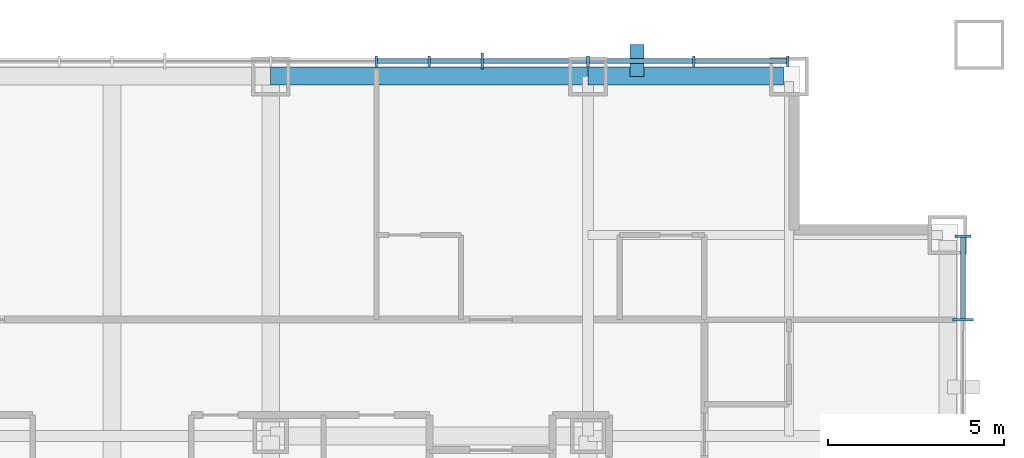
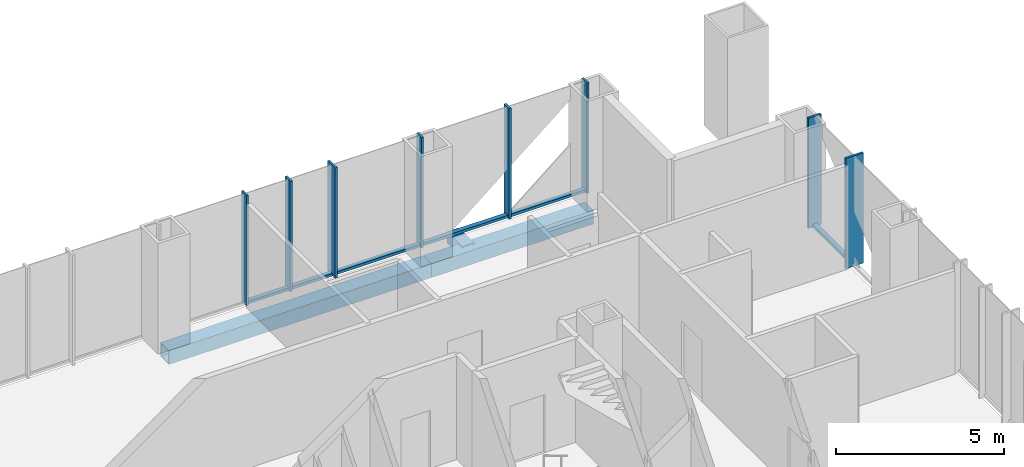
# One storey, part 6 of 18: 15 members, 2 beams, 2 elements without a shape of their own.
"""IFC4 building model written with IfcOpenShell, lengths in metres."""

from ifc_helpers import new_model, si_unit, direction, frame, origin, origin_2d, place, context, subcontext, project, spatial, rectangle, hollow_rectangle, extrude, material, layer, layer_set, material_profile, profile_set, type_object, element, aggregate, save


model = new_model("IFC4")

# Units and contexts
model_context = context("Model", 3, precision=1e-05, world=origin(), true_north=direction((0.0, 1.0)))
body_context = subcontext(model_context, "Body", "Model", "MODEL_VIEW")
ifc_project = project(units=[si_unit("LENGTHUNIT", "METRE"), si_unit("AREAUNIT", "SQUARE_METRE"), si_unit("VOLUMEUNIT", "CUBIC_METRE"), si_unit("PLANEANGLEUNIT", "RADIAN"), si_unit("MASSUNIT", "GRAM", prefix="KILO")], contexts=[model_context])

# Site, building, storey
site_placement = place(None, origin())
site = spatial("IfcSite", under=ifc_project, at=site_placement, CompositionType="ELEMENT")
building_placement = place(site_placement, origin())
building = spatial("IfcBuilding", under=site, at=building_placement, Name="Malebo Sky Hospital", CompositionType="ELEMENT")
storey_placement = place(building_placement, frame((0.0, 0.0, 132.0)))
storey = spatial("IfcBuildingStorey", under=building, at=storey_placement, Name="L31", CompositionType="ELEMENT", Elevation=132.0)

# Curtain wall, members
ifc_material_1 = material(Name="Anodised aluminium, natural silver", Category="aluminium")
ifc_layer_1 = layer(ifc_material_1, 0.25)
ifc_layer_set_1 = layer_set([ifc_layer_1], Name="WARD CURTAIN WALL NORTH AND SOUTH")
curtain_wall_type_1 = type_object("IfcCurtainWallType", Name="WARD CURTAIN WALL NORTH AND SOUTH", PredefinedType="NOTDEFINED", material=ifc_layer_set_1)
curtain_wall_1_placement = place(storey_placement, origin())
curtain_wall_1 = element("IfcCurtainWall", 1, at=curtain_wall_1_placement, inside=storey, type_object=curtain_wall_type_1, Name="NS curtain wall N", PredefinedType="NOTDEFINED")
ifc_material_profile_1 = material_profile(ifc_material_1, rectangle(XDim=0.14990234375, YDim=0.10009765625, at=origin_2d()), Name="ALUMINIUM TRANSOM 150x100")
ifc_profile_set_1 = profile_set([ifc_material_profile_1], Name="Anodised aluminium, natural silver")
member_type_1 = type_object("IfcMemberType", Name="ALUMINIUM TRANSOM 150x100", PredefinedType="USERDEFINED", material=ifc_profile_set_1)
member_1_placement = place(storey_placement, frame((67.53759765625, 86.135009765625, 0.050048828125), z_axis=(1.0, 0.0, 0.0), x_axis=(0.0, 1.0, 0.0)))
member_1 = element("IfcMember", 2, at=member_1_placement, type_object=member_type_1, Name="Transom 12", ObjectType="TRANSOM", PredefinedType="USERDEFINED", context=body_context, shape_type="SweptSolid", body=[
    extrude(rectangle(XDim=0.14990234375, YDim=0.10009765625, at=origin_2d()), origin(), (0.0, 0.0, 1.0), 1.4248046875),
])
member_2_placement = place(storey_placement, frame((69.03759765625, 86.135009765625, 0.050048828125), z_axis=(1.0, 0.0, 0.0), x_axis=(0.0, 1.0, 0.0)))
member_2 = element("IfcMember", 3, at=member_2_placement, type_object=member_type_1, Name="Transom 13", ObjectType="TRANSOM", PredefinedType="USERDEFINED", context=body_context, shape_type="SweptSolid", body=[
    extrude(rectangle(XDim=0.14990234375, YDim=0.10009765625, at=origin_2d()), origin(), (0.0, 0.0, 1.0), 1.4248046875),
])
member_3_placement = place(storey_placement, frame((70.53759765625, 86.135009765625, 0.050048828125), z_axis=(1.0, 0.0, 0.0), x_axis=(0.0, 1.0, 0.0)))
member_3 = element("IfcMember", 4, at=member_3_placement, type_object=member_type_1, Name="Transom 14", ObjectType="TRANSOM", PredefinedType="USERDEFINED", context=body_context, shape_type="SweptSolid", body=[
    extrude(rectangle(XDim=0.14990234375, YDim=0.10009765625, at=origin_2d()), origin(), (0.0, 0.0, 1.0), 2.9248046875),
])
member_4_placement = place(storey_placement, frame((73.53759765625, 86.135009765625, 0.050048828125), z_axis=(1.0, 0.0, 0.0), x_axis=(0.0, 1.0, 0.0)))
member_4 = element("IfcMember", 5, at=member_4_placement, type_object=member_type_1, Name="Transom 15", ObjectType="TRANSOM", PredefinedType="USERDEFINED", context=body_context, shape_type="SweptSolid", body=[
    extrude(rectangle(XDim=0.14990234375, YDim=0.10009765625, at=origin_2d()), origin(), (0.0, 0.0, 1.0), 2.9248046875),
])
member_5_placement = place(storey_placement, frame((76.53759765625, 86.135009765625, 0.050048828125), z_axis=(1.0, 0.0, 0.0), x_axis=(0.0, 1.0, 0.0)))
member_5 = element("IfcMember", 6, at=member_5_placement, type_object=member_type_1, Name="Transom 16", ObjectType="TRANSOM", PredefinedType="USERDEFINED", context=body_context, shape_type="SweptSolid", body=[
    extrude(rectangle(XDim=0.14990234375, YDim=0.10009765625, at=origin_2d()), origin(), (0.0, 0.0, 1.0), 2.58740234375),
])

# Curtain wall, member
ifc_layer_2 = layer(ifc_material_1, 0.25)
ifc_layer_set_2 = layer_set([ifc_layer_2], Name="WARD CURTAIN WALL EAST AND WEST")
curtain_wall_type_2 = type_object("IfcCurtainWallType", Name="WARD CURTAIN WALL EAST AND WEST", PredefinedType="NOTDEFINED", material=ifc_layer_set_2)
curtain_wall_2_placement = place(storey_placement, origin())
curtain_wall_2 = element("IfcCurtainWall", 7, at=curtain_wall_2_placement, inside=storey, type_object=curtain_wall_type_2, Name="EW curtain wall E", PredefinedType="NOTDEFINED")
member_6_placement = place(storey_placement, frame((84.135009765625, 81.125, 0.050048828125), z_axis=(0.0, -1.0, 0.0), x_axis=(1.0, 0.0, 0.0)))
member_6 = element("IfcMember", 8, at=member_6_placement, type_object=member_type_1, Name="Transom 1", ObjectType="TRANSOM", PredefinedType="USERDEFINED", context=body_context, shape_type="SweptSolid", body=[
    extrude(rectangle(XDim=0.14990234375, YDim=0.10009765625, at=origin_2d()), origin(), (0.0, 0.0, 1.0), 2.28759765625),
])

# Member
ifc_material_2 = material(Name="Steel S355", Category="steel")
ifc_material_profile_2 = material_profile(ifc_material_2, hollow_rectangle(XDim=0.39990234375, YDim=0.39990234375, WallThickness=0.02001953125, at=origin_2d()), Name="SHS 400x20")
ifc_profile_set_2 = profile_set([ifc_material_profile_2], Name="Steel S355")
member_type_2 = type_object("IfcMemberType", Name="BRACE STRUT SHS 400x20", PredefinedType="STRUT", material=ifc_profile_set_2)
member_7_placement = place(storey_placement, frame((74.8935546875, 86.60009765625, -0.39990234375), z_axis=(0.0, -1.0, 0.0), x_axis=(1.0, 0.0, 0.0)))
element("IfcMember", 9, at=member_7_placement, inside=storey, type_object=member_type_2, Name="Brace strut BN2 L31", PredefinedType="STRUT", context=body_context, shape_type="SweptSolid", body=[
    extrude(hollow_rectangle(XDim=0.39990234375, YDim=0.39990234375, WallThickness=0.02001953125, at=origin_2d()), origin(), (0.0, 0.0, 1.0), 0.900146484375),
])

ifc_material_profile_3 = material_profile(ifc_material_1, rectangle(XDim=0.074951171875, YDim=0.300048828125, at=origin_2d()), Name="CW1 ALUMINIUM FIN MULLION 75x300")
ifc_profile_set_3 = profile_set([ifc_material_profile_3], Name="Anodised aluminium, natural silver")
member_type_3 = type_object("IfcMemberType", Name="CW1 ALUMINIUM FIN MULLION 75x300", PredefinedType="MULLION", material=ifc_profile_set_3)
member_8_placement = place(storey_placement, frame((67.5, 86.135009765625, 0.0), z_axis=(0.0, 0.0, 1.0), x_axis=(1.0, 0.0, 0.0)))
member_8 = element("IfcMember", 10, at=member_8_placement, type_object=member_type_3, Name="Fin mullion 12", PredefinedType="MULLION", context=body_context, shape_type="SweptSolid", body=[
    extrude(rectangle(XDim=0.074951171875, YDim=0.300048828125, at=origin_2d()), origin(), (0.0, 0.0, 1.0), 4.0),
])

member_9_placement = place(storey_placement, frame((69.0, 86.135009765625, 0.0), z_axis=(0.0, 0.0, 1.0), x_axis=(1.0, 0.0, 0.0)))
member_9 = element("IfcMember", 11, at=member_9_placement, type_object=member_type_3, Name="Fin mullion 13", PredefinedType="MULLION", context=body_context, shape_type="SweptSolid", body=[
    extrude(rectangle(XDim=0.074951171875, YDim=0.300048828125, at=origin_2d()), origin(), (0.0, 0.0, 1.0), 4.0),
])

member_10_placement = place(storey_placement, frame((73.5, 86.135009765625, 0.0), z_axis=(0.0, 0.0, 1.0), x_axis=(1.0, 0.0, 0.0)))
member_10 = element("IfcMember", 12, at=member_10_placement, type_object=member_type_3, Name="Fin mullion 15", PredefinedType="MULLION", context=body_context, shape_type="SweptSolid", body=[
    extrude(rectangle(XDim=0.074951171875, YDim=0.300048828125, at=origin_2d()), origin(), (0.0, 0.0, 1.0), 4.0),
])

member_11_placement = place(storey_placement, frame((76.5, 86.135009765625, 0.0), z_axis=(0.0, 0.0, 1.0), x_axis=(1.0, 0.0, 0.0)))
member_11 = element("IfcMember", 13, at=member_11_placement, type_object=member_type_3, Name="Fin mullion 16", PredefinedType="MULLION", context=body_context, shape_type="SweptSolid", body=[
    extrude(rectangle(XDim=0.074951171875, YDim=0.300048828125, at=origin_2d()), origin(), (0.0, 0.0, 1.0), 4.0),
])

member_12_placement = place(storey_placement, frame((79.16259765625, 86.135009765625, 0.0), z_axis=(0.0, 0.0, 1.0), x_axis=(1.0, 0.0, 0.0)))
member_12 = element("IfcMember", 14, at=member_12_placement, type_object=member_type_3, Name="Fin mullion 17", PredefinedType="MULLION", context=body_context, shape_type="SweptSolid", body=[
    extrude(rectangle(XDim=0.074951171875, YDim=0.300048828125, at=origin_2d()), origin(), (0.0, 0.0, 1.0), 4.0),
])

ifc_material_profile_4 = material_profile(ifc_material_1, rectangle(XDim=0.074951171875, YDim=0.449951171875, at=origin_2d()), Name="CW1 ALUMINIUM FIN MULLION 75x450")
ifc_profile_set_4 = profile_set([ifc_material_profile_4], Name="Anodised aluminium, natural silver")
member_type_4 = type_object("IfcMemberType", Name="CW1 ALUMINIUM FIN MULLION 75x450", PredefinedType="MULLION", material=ifc_profile_set_4)
member_13_placement = place(storey_placement, frame((70.5, 86.135009765625, 0.0), z_axis=(0.0, 0.0, 1.0), x_axis=(1.0, 0.0, 0.0)))
member_13 = element("IfcMember", 15, at=member_13_placement, type_object=member_type_4, Name="Fin mullion 14", PredefinedType="MULLION", context=body_context, shape_type="SweptSolid", body=[
    extrude(rectangle(XDim=0.074951171875, YDim=0.449951171875, at=origin_2d()), origin(), (0.0, 0.0, 1.0), 4.0),
])

aggregate(curtain_wall_1, [member_8, member_9, member_13, member_10, member_11, member_12, member_1, member_2, member_3, member_4, member_5])

ifc_material_profile_5 = material_profile(ifc_material_1, rectangle(XDim=0.074951171875, YDim=0.449951171875, at=origin_2d()), Name="CW2 ALUMINIUM FIN MULLION 75x450")
ifc_profile_set_5 = profile_set([ifc_material_profile_5], Name="Anodised aluminium, natural silver")
member_type_5 = type_object("IfcMemberType", Name="CW2 ALUMINIUM FIN MULLION 75x450", PredefinedType="MULLION", material=ifc_profile_set_5)
member_14_placement = place(storey_placement, frame((84.135009765625, 81.16259765625, 0.0), z_axis=(0.0, 0.0, 1.0), x_axis=(0.0, -1.0, 0.0)))
member_14 = element("IfcMember", 16, at=member_14_placement, type_object=member_type_5, Name="Fin mullion 1", PredefinedType="MULLION", context=body_context, shape_type="SweptSolid", body=[
    extrude(rectangle(XDim=0.074951171875, YDim=0.449951171875, at=origin_2d()), origin(), (0.0, 0.0, 1.0), 4.0),
])

ifc_material_profile_6 = material_profile(ifc_material_1, rectangle(XDim=0.074951171875, YDim=0.60009765625, at=origin_2d()), Name="CW2 ALUMINIUM FIN MULLION 75x600")
ifc_profile_set_6 = profile_set([ifc_material_profile_6], Name="Anodised aluminium, natural silver")
member_type_6 = type_object("IfcMemberType", Name="CW2 ALUMINIUM FIN MULLION 75x600", PredefinedType="MULLION", material=ifc_profile_set_6)
member_15_placement = place(storey_placement, frame((84.135009765625, 78.800048828125, 0.0), z_axis=(0.0, 0.0, 1.0), x_axis=(0.0, -1.0, 0.0)))
member_15 = element("IfcMember", 17, at=member_15_placement, type_object=member_type_6, Name="Fin mullion 2", PredefinedType="MULLION", context=body_context, shape_type="SweptSolid", body=[
    extrude(rectangle(XDim=0.074951171875, YDim=0.60009765625, at=origin_2d()), origin(), (0.0, 0.0, 1.0), 4.0),
])

aggregate(curtain_wall_2, [member_14, member_15, member_6])

# Beams
ifc_material_3 = material(Name="Steel S460", Category="steel")
ifc_material_profile_7 = material_profile(ifc_material_3, hollow_rectangle(XDim=0.5, YDim=0.5, WallThickness=0.030029296875, at=origin_2d()), Name="BOX 500x500x30")
ifc_profile_set_7 = profile_set([ifc_material_profile_7], Name="Steel S460")
beam_type = type_object("IfcBeamType", Name="EDGE BEAM BOX 500x500x30", PredefinedType="BEAM", material=ifc_profile_set_7)
beam_1_placement = place(storey_placement, frame((64.5, 85.699951171875, -0.5), z_axis=(1.0, 0.0, 0.0), x_axis=(0.0, 1.0, 0.0)))
element("IfcBeam", 18, at=beam_1_placement, inside=storey, type_object=beam_type, Name="Beam 066 L31", PredefinedType="BEAM", context=body_context, shape_type="SweptSolid", body=[
    extrude(hollow_rectangle(XDim=0.5, YDim=0.5, WallThickness=0.030029296875, at=origin_2d()), origin(), (0.0, 0.0, 1.0), 9.0),
])
beam_2_placement = place(storey_placement, frame((73.5, 85.699951171875, -0.5), z_axis=(1.0, 0.0, 0.0), x_axis=(0.0, 1.0, 0.0)))
element("IfcBeam", 19, at=beam_2_placement, inside=storey, type_object=beam_type, Name="Beam 067 L31", PredefinedType="BEAM", context=body_context, shape_type="SweptSolid", body=[
    extrude(hollow_rectangle(XDim=0.5, YDim=0.5, WallThickness=0.030029296875, at=origin_2d()), origin(), (0.0, 0.0, 1.0), 5.550048828125),
])

save(model, "model.ifc")
